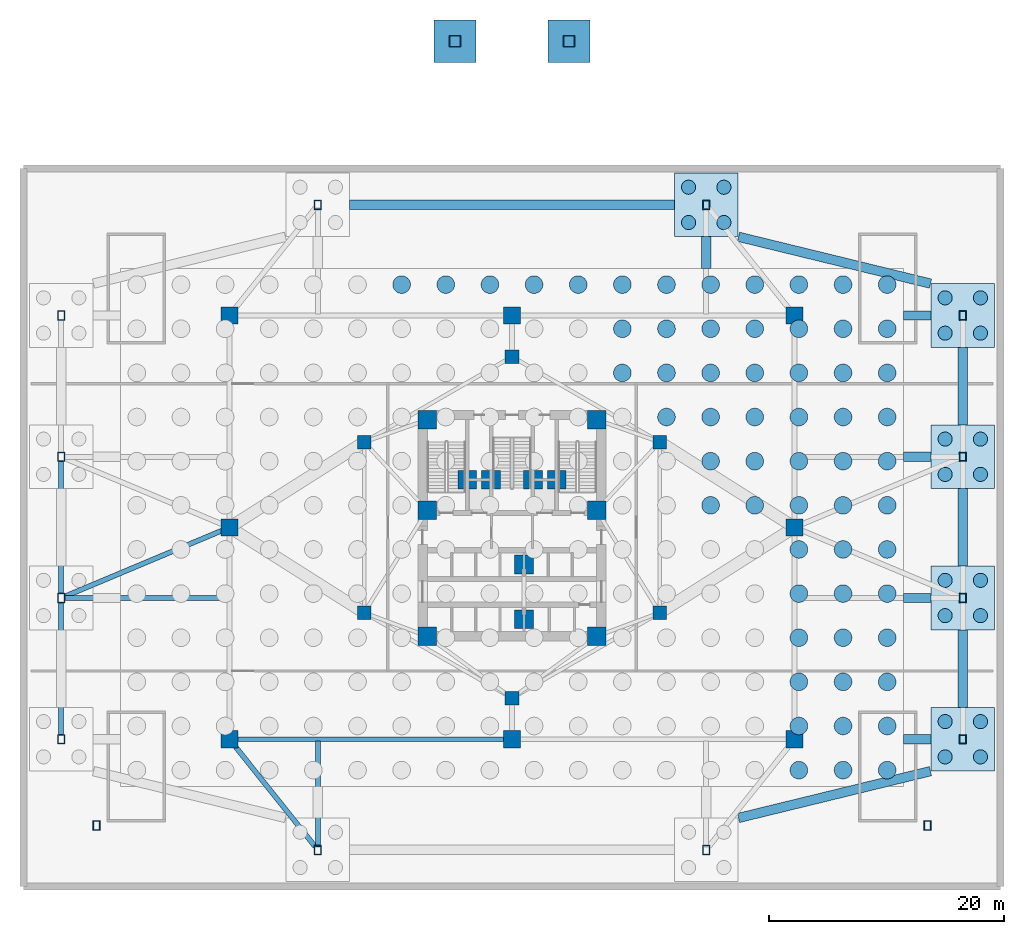
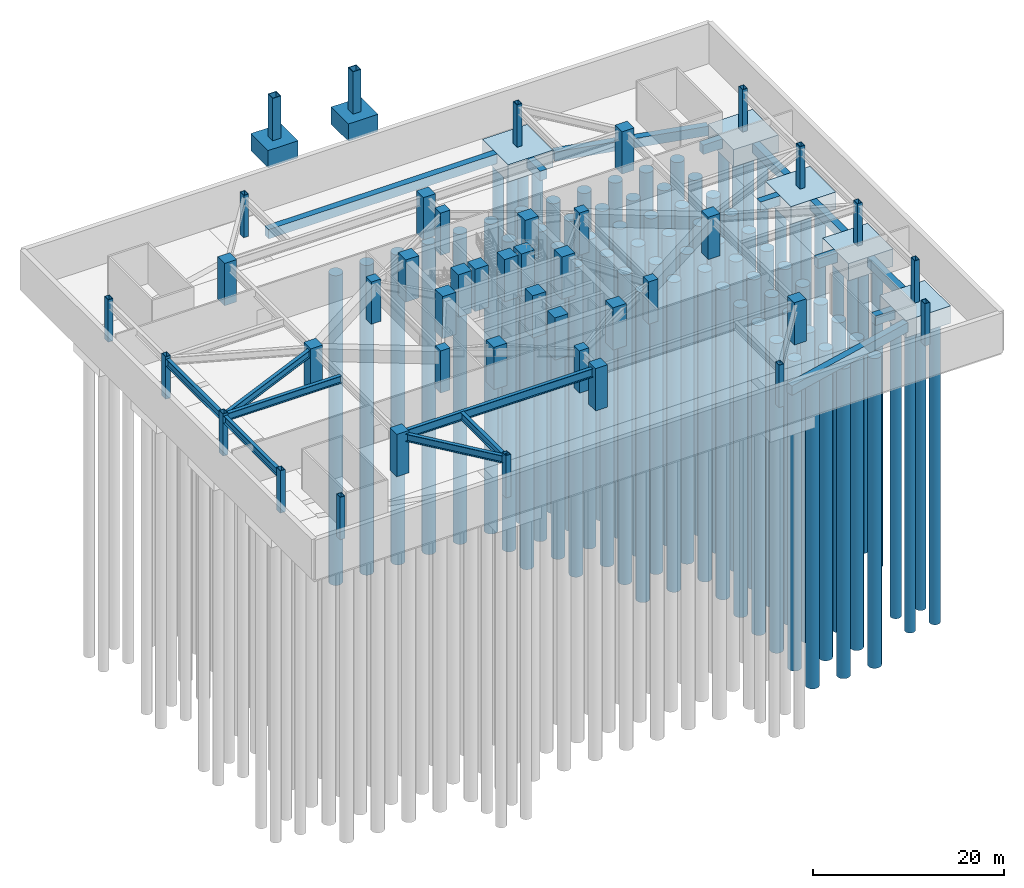
# One storey, part 2 of 8: 80 piles, 42 columns, 18 footings, 7 beams.
"""IFC4 building model written with IfcOpenShell, lengths in metres."""

import ifcopenshell
import ifcopenshell.guid

model = None  # the IFC model being written
_history = None  # IfcOwnerHistory: only IFC2X3 demands one
_inside = {}  # id of a spatial element -> (the spatial element, [elements in it])
_under = {}  # id of a project, library or spatial element -> (it, [spatial elements below it])
_declared = {}  # id of a project -> (the project, [libraries it declares])
_typed = {}  # id of a type object -> (the type object, [elements of that type])
_made_of = {}  # id of a material, layer set ... -> (it, [elements and type objects made of it])


def new_model(schema):
    """Start an empty IFC model of exactly this schema.

    Asked for "IFC4X3", IfcOpenShell would pick the latest addendum, in which some entities
    have other attributes; the version numbers below select the first issue.
    IFC2X3 requires an IfcOwnerHistory on every rooted entity: one is made here for all.
    """
    global model, _history
    if schema == "IFC4X3":
        model = ifcopenshell.file(schema_version=(4, 3, 0, 0))
    else:
        model = ifcopenshell.file(schema=schema)
    _inside.clear()
    _under.clear()
    _declared.clear()
    _typed.clear()
    _made_of.clear()
    _history = None
    if model.schema == "IFC2X3":
        org = make("IfcOrganization", Name="unknown")
        user = make(
            "IfcPersonAndOrganization",
            ThePerson=make("IfcPerson", FamilyName="unknown"),
            TheOrganization=org,
        )
        app = make(
            "IfcApplication",
            ApplicationDeveloper=org,
            Version="unknown",
            ApplicationFullName="unknown",
            ApplicationIdentifier="unknown",
        )
        _history = make(
            "IfcOwnerHistory",
            OwningUser=user,
            OwningApplication=app,
            ChangeAction="ADDED",
            CreationDate=0,
        )
    return model


def make(cls, **values):
    """One entity of the class cls with the attributes given. An attribute that is None is left unset."""
    return model.create_entity(
        cls, **{name: value for name, value in values.items() if value is not None}
    )


def rooted(cls, **values):
    """An entity with a GlobalId (a new one), such as an element, a storey or a relation."""
    return make(cls, GlobalId=ifcopenshell.guid.new(), OwnerHistory=_history, **values)


def si_unit(unit_type, name, prefix=None):
    """IfcSIUnit, for example si_unit("LENGTHUNIT", "METRE", prefix="MILLI")."""
    return make("IfcSIUnit", UnitType=unit_type, Prefix=prefix, Name=name)


def assignment(units):
    """IfcUnitAssignment: the units of a project."""
    return None if units is None else make("IfcUnitAssignment", Units=units)


def point(xyz):
    """IfcCartesianPoint."""
    return None if xyz is None else make("IfcCartesianPoint", Coordinates=xyz)


def direction(xyz):
    """IfcDirection."""
    return None if xyz is None else make("IfcDirection", DirectionRatios=xyz)


def frame(location, z_axis=None, x_axis=None):
    """IfcAxis2Placement3D, a coordinate frame: its origin and axes. An axis left out is left unset."""
    return make(
        "IfcAxis2Placement3D",
        Location=point(location),
        Axis=direction(z_axis),
        RefDirection=direction(x_axis),
    )


def frame_2d(location, x_axis=None):
    """IfcAxis2Placement2D, a coordinate frame in the plane: its origin and x axis."""
    return make(
        "IfcAxis2Placement2D", Location=point(location), RefDirection=direction(x_axis)
    )


def origin():
    """The frame at (0, 0, 0) with its axes left unset."""
    return frame((0.0, 0.0, 0.0))


def origin_2d():
    """The frame at (0, 0) in the plane with its x axis left unset."""
    return frame_2d((0.0, 0.0))


def place(relative_to, where):
    """IfcLocalPlacement: puts the frame where relative to a parent placement (None: the world)."""
    return make(
        "IfcLocalPlacement", PlacementRelTo=relative_to, RelativePlacement=where
    )


def context(
    kind, dimensions, precision=None, world=None, true_north=None, identifier=None
):
    """IfcGeometricRepresentationContext, for example the 3D "Model" context."""
    return make(
        "IfcGeometricRepresentationContext",
        ContextIdentifier=identifier,
        ContextType=kind,
        CoordinateSpaceDimension=dimensions,
        Precision=precision,
        WorldCoordinateSystem=world,
        TrueNorth=true_north,
    )


def subcontext(parent, identifier, kind, view, scale=None):
    """IfcGeometricRepresentationSubContext, for example "Body" below "Model"."""
    return make(
        "IfcGeometricRepresentationSubContext",
        ContextIdentifier=identifier,
        ContextType=kind,
        ParentContext=parent,
        TargetScale=scale,
        TargetView=view,
    )


def project(units=None, contexts=None):
    """IfcProject with its units and contexts."""
    return rooted(
        "IfcProject",
        Name="project",
        RepresentationContexts=contexts,
        UnitsInContext=assignment(units),
    )


def spatial(cls, under=None, at=None, **own):
    """A site, building, storey or space (cls), placed at a placement, below another one or the project."""
    s = rooted(cls, ObjectPlacement=at, **own)
    if under is not None:
        _under.setdefault(under.id(), (under, []))[1].append(s)
    return s


def polyline(points):
    """IfcPolyline through the points."""
    return make("IfcPolyline", Points=[point(p) for p in points])


def profile(cls, at=None, kind="AREA", **sizes):
    """A parametric profile (cls). Its sizes go by their IFC names, for example OverallWidth=200.0."""
    return make(cls, ProfileType=kind, Position=at, **sizes)


def rectangle(**sizes):
    """IfcRectangleProfileDef."""
    return profile("IfcRectangleProfileDef", **sizes)


def hollow_rectangle(**sizes):
    """IfcRectangleHollowProfileDef."""
    return profile("IfcRectangleHollowProfileDef", **sizes)


def circle(**sizes):
    """IfcCircleProfileDef."""
    return profile("IfcCircleProfileDef", **sizes)


def i_section(**sizes):
    """IfcIShapeProfileDef."""
    return profile("IfcIShapeProfileDef", **sizes)


def outline(outer, holes=None, kind="AREA"):
    """IfcArbitraryClosedProfileDef: a profile drawn as a closed curve; with holes, ...WithVoids."""
    if holes is None:
        return make("IfcArbitraryClosedProfileDef", ProfileType=kind, OuterCurve=outer)
    return make(
        "IfcArbitraryProfileDefWithVoids",
        ProfileType=kind,
        OuterCurve=outer,
        InnerCurves=holes,
    )


def extrude(swept, where, along, depth):
    """IfcExtrudedAreaSolid: the profile swept, set in the frame where, extruded along a direction by depth."""
    return make(
        "IfcExtrudedAreaSolid",
        SweptArea=swept,
        Position=where,
        ExtrudedDirection=direction(along),
        Depth=depth,
    )


def shape(context_of_items, identifier, shape_type, items):
    """IfcShapeRepresentation: the items that make up one representation, for example the "Body"."""
    return make(
        "IfcShapeRepresentation",
        ContextOfItems=context_of_items,
        RepresentationIdentifier=identifier,
        RepresentationType=shape_type,
        Items=items,
    )


def material(Name=None, Category=None):
    """IfcMaterial."""
    return make("IfcMaterial", Name=Name, Category=Category)


def layer(
    of_material, thickness, ventilated=None, Name=None, Category=None, Priority=None
):
    """IfcMaterialLayer: one layer of a wall or slab, of a material (None: an air gap)."""
    return make(
        "IfcMaterialLayer",
        Material=of_material,
        LayerThickness=thickness,
        IsVentilated=ventilated,
        Name=Name,
        Category=Category,
        Priority=Priority,
    )


def layer_set(layers, Name=None):
    """IfcMaterialLayerSet."""
    return make("IfcMaterialLayerSet", MaterialLayers=layers, LayerSetName=Name)


def material_profile(
    of_material, cross_section, Name=None, Category=None, Priority=None
):
    """IfcMaterialProfile: a cross section and its material."""
    return make(
        "IfcMaterialProfile",
        Name=Name,
        Material=of_material,
        Profile=cross_section,
        Priority=Priority,
        Category=Category,
    )


def profile_set(profiles, Name=None, composite=None):
    """IfcMaterialProfileSet."""
    return make(
        "IfcMaterialProfileSet",
        Name=Name,
        MaterialProfiles=profiles,
        CompositeProfile=composite,
    )


def made_of(thing, what):
    """Note that an element or type object is made of a material, layer set ...; save() writes the relation."""
    if what is not None:
        _made_of.setdefault(what.id(), (what, []))[1].append(thing)
    return thing


def type_object(cls, material=None, **own):
    """A type object (cls), such as IfcWallType, which elements share."""
    return made_of(rooted(cls, **own), material)


def element(
    cls,
    number,
    at=None,
    inside=None,
    cuts=None,
    type_object=None,
    material=None,
    context=None,
    identifier="Body",
    shape_type=None,
    held_by="IfcProductDefinitionShape",
    body=None,
    shapes=None,
    **own,
):
    """One element of the class cls, such as IfcWall. Its Tag is "e" and its number.

    at: its placement. inside: the storey or other place that contains it. cuts: it is an
    opening in that element (IfcRelVoidsElement). A single representation is given by context,
    identifier, shape_type and body (its items); several are given by shapes. held_by: the class
    of the entity that holds the representations. save() writes the other relations.
    """
    e = rooted(cls, Tag="e%d" % number, ObjectPlacement=at, **own)
    if body is not None:
        shapes = [shape(context, identifier, shape_type, body)]
    if shapes is not None:
        e.Representation = make(held_by, Representations=shapes)
    if inside is not None:
        _inside.setdefault(inside.id(), (inside, []))[1].append(e)
    if cuts is not None:
        rooted(
            "IfcRelVoidsElement", RelatingBuildingElement=cuts, RelatedOpeningElement=e
        )
    if type_object is not None:
        _typed.setdefault(type_object.id(), (type_object, []))[1].append(e)
    return made_of(e, material)


def aggregate(whole, parts):
    """IfcRelAggregates: a whole, such as a stair, and the parts it consists of."""
    return rooted("IfcRelAggregates", RelatingObject=whole, RelatedObjects=parts)


def save(model, path):
    """Write the relations noted so far, then the file.

    IfcRelAggregates (storeys below a building ...), IfcRelContainedInSpatialStructure (elements
    in a storey), IfcRelDefinesByType, IfcRelAssociatesMaterial and IfcRelDeclares: one each for
    every whole, place, type object, material and project.
    """
    for whole, parts in _under.values():
        aggregate(whole, parts)
    for where, things in _inside.values():
        rooted(
            "IfcRelContainedInSpatialStructure",
            RelatedElements=things,
            RelatingStructure=where,
        )
    for kind, things in _typed.values():
        rooted("IfcRelDefinesByType", RelatedObjects=things, RelatingType=kind)
    for what, things in _made_of.values():
        rooted("IfcRelAssociatesMaterial", RelatedObjects=things, RelatingMaterial=what)
    for by, libraries in _declared.values():
        rooted("IfcRelDeclares", RelatingContext=by, RelatedDefinitions=libraries)
    model.write(path)


model = new_model("IFC4")

# Units and contexts
model_context = context("Model", 3, precision=1e-05, world=origin(), true_north=direction((0.0, 1.0)))
body_context = subcontext(model_context, "Body", "Model", "MODEL_VIEW")
ifc_project = project(units=[si_unit("LENGTHUNIT", "METRE"), si_unit("AREAUNIT", "SQUARE_METRE"), si_unit("VOLUMEUNIT", "CUBIC_METRE"), si_unit("PLANEANGLEUNIT", "RADIAN"), si_unit("MASSUNIT", "GRAM", prefix="KILO")], contexts=[model_context])

# Site, building, storey
site_placement = place(None, origin())
site = spatial("IfcSite", under=ifc_project, at=site_placement, CompositionType="ELEMENT")
building_placement = place(site_placement, origin())
building = spatial("IfcBuilding", under=site, at=building_placement, Name="Apsidion Concourse Tower", CompositionType="ELEMENT")
storey_placement = place(building_placement, frame((0.0, 0.0, -5.39990234375)))
storey = spatial("IfcBuildingStorey", under=building, at=storey_placement, Name="B01", CompositionType="ELEMENT", Elevation=-5.39990234375)

# Footings
ifc_material_1 = material(Name="Concrete C50/60", Category="concrete")
ifc_layer_1 = layer(ifc_material_1, 2.199951171875)
ifc_layer_set_1 = layer_set([ifc_layer_1], Name="Concrete C50/60")
footing_type_1 = type_object("IfcFootingType", Name="FT-CAP-PC1", PredefinedType="PILE_CAP", material=ifc_layer_set_1)
footing_1_placement = place(storey_placement, frame((0.0, 0.0, -2.2001953125)))
element("IfcFooting", 1, at=footing_1_placement, inside=storey, type_object=footing_type_1, Name="Podium Pile Cap PC05", PredefinedType="PILE_CAP", context=body_context, shape_type="SweptSolid", body=[
    extrude(outline(polyline([(35.60009765625, -20.699951171875), (41.0, -20.699951171875), (41.0, -15.300048828125), (35.60009765625, -15.300048828125), (35.60009765625, -20.699951171875)])), origin(), (0.0, 0.0, 1.0), 2.2001953125),
])
footing_2_placement = place(storey_placement, frame((0.0, 0.0, -2.2001953125)))
element("IfcFooting", 2, at=footing_2_placement, inside=storey, type_object=footing_type_1, Name="Podium Pile Cap PC06", PredefinedType="PILE_CAP", context=body_context, shape_type="SweptSolid", body=[
    extrude(outline(polyline([(35.60009765625, -8.699951171875), (41.0, -8.699951171875), (41.0, -3.300048828125), (35.60009765625, -3.300048828125), (35.60009765625, -8.699951171875)])), origin(), (0.0, 0.0, 1.0), 2.2001953125),
])
footing_3_placement = place(storey_placement, frame((0.0, 0.0, -2.2001953125)))
element("IfcFooting", 3, at=footing_3_placement, inside=storey, type_object=footing_type_1, Name="Podium Pile Cap PC07", PredefinedType="PILE_CAP", context=body_context, shape_type="SweptSolid", body=[
    extrude(outline(polyline([(35.60009765625, 3.300048828125), (41.0, 3.300048828125), (41.0, 8.699951171875), (35.60009765625, 8.699951171875), (35.60009765625, 3.300048828125)])), origin(), (0.0, 0.0, 1.0), 2.2001953125),
])
footing_4_placement = place(storey_placement, frame((0.0, 0.0, -2.2001953125)))
element("IfcFooting", 4, at=footing_4_placement, inside=storey, type_object=footing_type_1, Name="Podium Pile Cap PC08", PredefinedType="PILE_CAP", context=body_context, shape_type="SweptSolid", body=[
    extrude(outline(polyline([(35.60009765625, 15.300048828125), (41.0, 15.300048828125), (41.0, 20.699951171875), (35.60009765625, 20.699951171875), (35.60009765625, 15.300048828125)])), origin(), (0.0, 0.0, 1.0), 2.2001953125),
])
footing_5_placement = place(storey_placement, frame((0.0, 0.0, -2.2001953125)))
element("IfcFooting", 5, at=footing_5_placement, inside=storey, type_object=footing_type_1, Name="Podium Pile Cap PC12", PredefinedType="PILE_CAP", context=body_context, shape_type="SweptSolid", body=[
    extrude(outline(polyline([(13.800048828125, 24.699951171875), (19.199951171875, 24.699951171875), (19.199951171875, 30.10009765625), (13.800048828125, 30.10009765625), (13.800048828125, 24.699951171875)])), origin(), (0.0, 0.0, 1.0), 2.2001953125),
])
ifc_layer_2 = layer(ifc_material_1, 2.199951171875)
ifc_layer_set_2 = layer_set([ifc_layer_2], Name="Concrete C50/60")
footing_type_2 = type_object("IfcFootingType", Name="FT-PAD-PRW", PredefinedType="PAD_FOOTING", material=ifc_layer_set_2)
footing_6_placement = place(storey_placement, frame((0.0, 0.0, -2.2001953125)))
element("IfcFooting", 6, at=footing_6_placement, inside=storey, type_object=footing_type_2, Name="North Prow Colonnade Pad Footing FP-W", PredefinedType="PAD_FOOTING", context=body_context, shape_type="SweptSolid", body=[
    extrude(outline(polyline([(-6.645751953125, 39.5068359375), (-3.045654296875, 39.5068359375), (-3.045654296875, 43.10693359375), (-6.645751953125, 43.10693359375), (-6.645751953125, 39.5068359375)])), origin(), (0.0, 0.0, 1.0), 2.2001953125),
])
footing_7_placement = place(storey_placement, frame((0.0, 0.0, -2.2001953125)))
element("IfcFooting", 7, at=footing_7_placement, inside=storey, type_object=footing_type_2, Name="North Prow Colonnade Pad Footing FP-E", PredefinedType="PAD_FOOTING", context=body_context, shape_type="SweptSolid", body=[
    extrude(outline(polyline([(3.045654296875, 39.5068359375), (6.645751953125, 39.5068359375), (6.645751953125, 43.10693359375), (3.045654296875, 43.10693359375), (3.045654296875, 39.5068359375)])), origin(), (0.0, 0.0, 1.0), 2.2001953125),
])
ifc_material_profile_1 = material_profile(ifc_material_1, rectangle(XDim=0.800048828125, YDim=1.199951171875, at=origin_2d()), Name="RC 800x1200")
ifc_profile_set_1 = profile_set([ifc_material_profile_1], Name="Concrete C50/60")
footing_type_3 = type_object("IfcFootingType", Name="FT-TIE-GB1", PredefinedType="FOOTING_BEAM", material=ifc_profile_set_1)
for number, where, z_axis, x_axis, name in (
    (8, (33.25, -18.0, -0.60009765625), (1.0, 0.0, 0.0), (0.0, 1.0, 0.0), "Foundation Tie Beam GB-05"),
    (9, (33.25, -6.0, -0.60009765625), (1.0, 0.0, 0.0), (0.0, 1.0, 0.0), "Foundation Tie Beam GB-06"),
    (10, (33.25, 6.0, -0.60009765625), (1.0, 0.0, 0.0), (0.0, 1.0, 0.0), "Foundation Tie Beam GB-07"),
    (11, (33.25, 18.0, -0.60009765625), (1.0, 0.0, 0.0), (0.0, 1.0, 0.0), "Foundation Tie Beam GB-08"),
):
    element("IfcFooting", number, at=place(storey_placement, frame(where, z_axis=z_axis, x_axis=x_axis)), inside=storey, type_object=footing_type_3, Name=name, PredefinedType="FOOTING_BEAM", context=body_context, shape_type="SweptSolid", body=[
        extrude(rectangle(XDim=0.800048828125, YDim=1.199951171875, at=origin_2d()), origin(), (0.0, 0.0, 1.0), 2.35009765625),
    ])
footing_8_placement = place(storey_placement, frame((16.5, 22.0, -0.60009765625), z_axis=(0.0, 1.0, 0.0), x_axis=(-1.0, 0.0, 0.0)))
element("IfcFooting", 12, at=footing_8_placement, inside=storey, type_object=footing_type_3, Name="Foundation Tie Beam GB-12", PredefinedType="FOOTING_BEAM", context=body_context, shape_type="SweptSolid", body=[
    extrude(rectangle(XDim=0.800048828125, YDim=1.199951171875, at=origin_2d()), origin(), (0.0, 0.0, 1.0), 2.699951171875),
])
for number, where, z_axis, x_axis, name in (
    (13, (38.300048828125, -15.300048828125, -0.60009765625), (0.0, 1.0, 0.0), (-1.0, 0.0, 0.0), "Foundation Tie Beam GB-16"),
    (14, (38.300048828125, -3.300048828125, -0.60009765625), (0.0, 1.0, 0.0), (-1.0, 0.0, 0.0), "Foundation Tie Beam GB-17"),
    (15, (38.300048828125, 8.699951171875, -0.60009765625), (0.0, 1.0, 0.0), (-1.0, 0.0, 0.0), "Foundation Tie Beam GB-18"),
):
    element("IfcFooting", number, at=place(storey_placement, frame(where, z_axis=z_axis, x_axis=x_axis)), inside=storey, type_object=footing_type_3, Name=name, PredefinedType="FOOTING_BEAM", context=body_context, shape_type="SweptSolid", body=[
        extrude(rectangle(XDim=0.800048828125, YDim=1.199951171875, at=origin_2d()), origin(), (0.0, 0.0, 1.0), 6.60009765625),
    ])
footing_9_placement = place(storey_placement, frame((-13.800048828125, 27.39990234375, -0.60009765625), z_axis=(1.0, 0.0, 0.0), x_axis=(0.0, 1.0, 0.0)))
element("IfcFooting", 16, at=footing_9_placement, inside=storey, type_object=footing_type_3, Name="Foundation Tie Beam GB-20", PredefinedType="FOOTING_BEAM", context=body_context, shape_type="SweptSolid", body=[
    extrude(rectangle(XDim=0.800048828125, YDim=1.199951171875, at=origin_2d()), origin(), (0.0, 0.0, 1.0), 27.60009765625),
])
for number, where, z_axis, x_axis, name in (
    (17, (19.24853515625, -24.688232421875, -0.60009765625), (0.971520583848, 0.236955175422, 0.0), (-0.236955175422, 0.971520583848, 0.0), "Foundation Tie Beam GB-22"),
    (18, (19.24853515625, 24.688232421875, -0.60009765625), (0.971520583848, -0.236955175422, 0.0), (0.236955175422, 0.971520583848, 0.0), "Foundation Tie Beam GB-24"),
):
    element("IfcFooting", number, at=place(storey_placement, frame(where, z_axis=z_axis, x_axis=x_axis)), inside=storey, type_object=footing_type_3, Name=name, PredefinedType="FOOTING_BEAM", context=body_context, shape_type="SweptSolid", body=[
        extrude(rectangle(XDim=0.800048828125, YDim=1.199951171875, at=origin_2d()), origin(), (0.0, 0.0, 1.0), 16.781005859375),
    ])

# Piles
ifc_material_profile_2 = material_profile(ifc_material_1, circle(Radius=0.60009765625, at=origin_2d()), Name="BORED PILE D1200")
ifc_profile_set_2 = profile_set([ifc_material_profile_2], Name="Concrete C50/60")
pile_type_1 = type_object("IfcPileType", Name="PL-BORED-1200", PredefinedType="BORED", material=ifc_profile_set_2)
for number, where, z_axis, x_axis, name in (
    (19, (36.800048828125, -19.5, -2.050048828125), (0.0, 0.0, -1.0), (1.0, 0.0, 0.0), "Podium Cap Bored Pile P-1200-PC05"),
    (20, (36.800048828125, -16.5, -2.050048828125), (0.0, 0.0, -1.0), (1.0, 0.0, 0.0), "Podium Cap Bored Pile P-1200-PC05"),
    (21, (39.800048828125, -19.5, -2.050048828125), (0.0, 0.0, -1.0), (1.0, 0.0, 0.0), "Podium Cap Bored Pile P-1200-PC05"),
    (22, (39.800048828125, -16.5, -2.050048828125), (0.0, 0.0, -1.0), (1.0, 0.0, 0.0), "Podium Cap Bored Pile P-1200-PC05"),
    (23, (36.800048828125, -7.5, -2.050048828125), (0.0, 0.0, -1.0), (1.0, 0.0, 0.0), "Podium Cap Bored Pile P-1200-PC06"),
    (24, (36.800048828125, -4.5, -2.050048828125), (0.0, 0.0, -1.0), (1.0, 0.0, 0.0), "Podium Cap Bored Pile P-1200-PC06"),
    (25, (39.800048828125, -7.5, -2.050048828125), (0.0, 0.0, -1.0), (1.0, 0.0, 0.0), "Podium Cap Bored Pile P-1200-PC06"),
    (26, (39.800048828125, -4.5, -2.050048828125), (0.0, 0.0, -1.0), (1.0, 0.0, 0.0), "Podium Cap Bored Pile P-1200-PC06"),
    (27, (36.800048828125, 4.5, -2.050048828125), (0.0, 0.0, -1.0), (1.0, 0.0, 0.0), "Podium Cap Bored Pile P-1200-PC07"),
    (28, (36.800048828125, 7.5, -2.050048828125), (0.0, 0.0, -1.0), (1.0, 0.0, 0.0), "Podium Cap Bored Pile P-1200-PC07"),
    (29, (39.800048828125, 4.5, -2.050048828125), (0.0, 0.0, -1.0), (1.0, 0.0, 0.0), "Podium Cap Bored Pile P-1200-PC07"),
    (30, (39.800048828125, 7.5, -2.050048828125), (0.0, 0.0, -1.0), (1.0, 0.0, 0.0), "Podium Cap Bored Pile P-1200-PC07"),
    (31, (36.800048828125, 16.5, -2.050048828125), (0.0, 0.0, -1.0), (1.0, 0.0, 0.0), "Podium Cap Bored Pile P-1200-PC08"),
    (32, (36.800048828125, 19.5, -2.050048828125), (0.0, 0.0, -1.0), (1.0, 0.0, 0.0), "Podium Cap Bored Pile P-1200-PC08"),
    (33, (39.800048828125, 16.5, -2.050048828125), (0.0, 0.0, -1.0), (1.0, 0.0, 0.0), "Podium Cap Bored Pile P-1200-PC08"),
    (34, (39.800048828125, 19.5, -2.050048828125), (0.0, 0.0, -1.0), (1.0, 0.0, 0.0), "Podium Cap Bored Pile P-1200-PC08"),
    (35, (15.0, 25.89990234375, -2.050048828125), (0.0, 0.0, -1.0), (1.0, 0.0, 0.0), "Podium Cap Bored Pile P-1200-PC12"),
    (36, (15.0, 28.89990234375, -2.050048828125), (0.0, 0.0, -1.0), (1.0, 0.0, 0.0), "Podium Cap Bored Pile P-1200-PC12"),
    (37, (18.0, 25.89990234375, -2.050048828125), (0.0, 0.0, -1.0), (1.0, 0.0, 0.0), "Podium Cap Bored Pile P-1200-PC12"),
    (38, (18.0, 28.89990234375, -2.050048828125), (0.0, 0.0, -1.0), (1.0, 0.0, 0.0), "Podium Cap Bored Pile P-1200-PC12"),
):
    element("IfcPile", number, at=place(storey_placement, frame(where, z_axis=z_axis, x_axis=x_axis)), inside=storey, type_object=pile_type_1, Name=name, PredefinedType="BORED", context=body_context, shape_type="SweptSolid", body=[
        extrude(circle(Radius=0.60009765625, at=origin_2d()), origin(), (0.0, 0.0, 1.0), 38.550048828125),
    ])
ifc_material_profile_3 = material_profile(ifc_material_1, circle(Radius=0.75, at=origin_2d()), Name="BORED PILE D1500")
ifc_profile_set_3 = profile_set([ifc_material_profile_3], Name="Concrete C50/60")
pile_type_2 = type_object("IfcPileType", Name="PL-BORED-1500", PredefinedType="BORED", material=ifc_profile_set_3)
for number, where, z_axis, x_axis, name in (
    (39, (-9.375, 20.625, -3.050048828125), (0.0, 0.0, -1.0), (1.0, 0.0, 0.0), "Tower Raft Bored Pile P-1500-084"),
    (40, (-5.625, 20.625, -3.050048828125), (0.0, 0.0, -1.0), (1.0, 0.0, 0.0), "Tower Raft Bored Pile P-1500-096"),
    (41, (-1.875, 20.625, -3.050048828125), (0.0, 0.0, -1.0), (1.0, 0.0, 0.0), "Tower Raft Bored Pile P-1500-108"),
    (42, (1.875, 20.625, -3.050048828125), (0.0, 0.0, -1.0), (1.0, 0.0, 0.0), "Tower Raft Bored Pile P-1500-120"),
    (43, (5.625, 20.625, -3.050048828125), (0.0, 0.0, -1.0), (1.0, 0.0, 0.0), "Tower Raft Bored Pile P-1500-132"),
    (44, (9.375, 13.125, -3.050048828125), (0.0, 0.0, -1.0), (1.0, 0.0, 0.0), "Tower Raft Bored Pile P-1500-142"),
    (45, (9.375, 16.875, -3.050048828125), (0.0, 0.0, -1.0), (1.0, 0.0, 0.0), "Tower Raft Bored Pile P-1500-143"),
    (46, (9.375, 20.625, -3.050048828125), (0.0, 0.0, -1.0), (1.0, 0.0, 0.0), "Tower Raft Bored Pile P-1500-144"),
    (47, (13.125, 9.375, -3.050048828125), (0.0, 0.0, -1.0), (1.0, 0.0, 0.0), "Tower Raft Bored Pile P-1500-153"),
    (48, (13.125, 13.125, -3.050048828125), (0.0, 0.0, -1.0), (1.0, 0.0, 0.0), "Tower Raft Bored Pile P-1500-154"),
    (49, (13.125, 16.875, -3.050048828125), (0.0, 0.0, -1.0), (1.0, 0.0, 0.0), "Tower Raft Bored Pile P-1500-155"),
    (50, (13.125, 20.625, -3.050048828125), (0.0, 0.0, -1.0), (1.0, 0.0, 0.0), "Tower Raft Bored Pile P-1500-156"),
    (51, (16.875, 1.875, -3.050048828125), (0.0, 0.0, -1.0), (1.0, 0.0, 0.0), "Tower Raft Bored Pile P-1500-163"),
    (52, (16.875, 5.625, -3.050048828125), (0.0, 0.0, -1.0), (1.0, 0.0, 0.0), "Tower Raft Bored Pile P-1500-164"),
    (53, (16.875, 9.375, -3.050048828125), (0.0, 0.0, -1.0), (1.0, 0.0, 0.0), "Tower Raft Bored Pile P-1500-165"),
    (54, (16.875, 13.125, -3.050048828125), (0.0, 0.0, -1.0), (1.0, 0.0, 0.0), "Tower Raft Bored Pile P-1500-166"),
    (55, (16.875, 16.875, -3.050048828125), (0.0, 0.0, -1.0), (1.0, 0.0, 0.0), "Tower Raft Bored Pile P-1500-167"),
    (56, (16.875, 20.625, -3.050048828125), (0.0, 0.0, -1.0), (1.0, 0.0, 0.0), "Tower Raft Bored Pile P-1500-168"),
    (57, (20.625, 1.875, -3.050048828125), (0.0, 0.0, -1.0), (1.0, 0.0, 0.0), "Tower Raft Bored Pile P-1500-175"),
    (58, (20.625, 5.625, -3.050048828125), (0.0, 0.0, -1.0), (1.0, 0.0, 0.0), "Tower Raft Bored Pile P-1500-176"),
    (59, (20.625, 9.375, -3.050048828125), (0.0, 0.0, -1.0), (1.0, 0.0, 0.0), "Tower Raft Bored Pile P-1500-177"),
    (60, (20.625, 13.125, -3.050048828125), (0.0, 0.0, -1.0), (1.0, 0.0, 0.0), "Tower Raft Bored Pile P-1500-178"),
    (61, (20.625, 16.875, -3.050048828125), (0.0, 0.0, -1.0), (1.0, 0.0, 0.0), "Tower Raft Bored Pile P-1500-179"),
    (62, (20.625, 20.625, -3.050048828125), (0.0, 0.0, -1.0), (1.0, 0.0, 0.0), "Tower Raft Bored Pile P-1500-180"),
    (63, (24.375, -20.625, -3.050048828125), (0.0, 0.0, -1.0), (1.0, 0.0, 0.0), "Tower Raft Bored Pile P-1500-181"),
    (64, (24.375, -16.875, -3.050048828125), (0.0, 0.0, -1.0), (1.0, 0.0, 0.0), "Tower Raft Bored Pile P-1500-182"),
    (65, (24.375, -13.125, -3.050048828125), (0.0, 0.0, -1.0), (1.0, 0.0, 0.0), "Tower Raft Bored Pile P-1500-183"),
    (66, (24.375, -9.375, -3.050048828125), (0.0, 0.0, -1.0), (1.0, 0.0, 0.0), "Tower Raft Bored Pile P-1500-184"),
    (67, (24.375, -5.625, -3.050048828125), (0.0, 0.0, -1.0), (1.0, 0.0, 0.0), "Tower Raft Bored Pile P-1500-185"),
    (68, (24.375, -1.875, -3.050048828125), (0.0, 0.0, -1.0), (1.0, 0.0, 0.0), "Tower Raft Bored Pile P-1500-186"),
    (69, (24.375, 1.875, -3.050048828125), (0.0, 0.0, -1.0), (1.0, 0.0, 0.0), "Tower Raft Bored Pile P-1500-187"),
    (70, (24.375, 5.625, -3.050048828125), (0.0, 0.0, -1.0), (1.0, 0.0, 0.0), "Tower Raft Bored Pile P-1500-188"),
    (71, (24.375, 9.375, -3.050048828125), (0.0, 0.0, -1.0), (1.0, 0.0, 0.0), "Tower Raft Bored Pile P-1500-189"),
    (72, (24.375, 13.125, -3.050048828125), (0.0, 0.0, -1.0), (1.0, 0.0, 0.0), "Tower Raft Bored Pile P-1500-190"),
    (73, (24.375, 16.875, -3.050048828125), (0.0, 0.0, -1.0), (1.0, 0.0, 0.0), "Tower Raft Bored Pile P-1500-191"),
    (74, (24.375, 20.625, -3.050048828125), (0.0, 0.0, -1.0), (1.0, 0.0, 0.0), "Tower Raft Bored Pile P-1500-192"),
    (75, (28.125, -20.625, -3.050048828125), (0.0, 0.0, -1.0), (1.0, 0.0, 0.0), "Tower Raft Bored Pile P-1500-193"),
    (76, (28.125, -16.875, -3.050048828125), (0.0, 0.0, -1.0), (1.0, 0.0, 0.0), "Tower Raft Bored Pile P-1500-194"),
    (77, (28.125, -13.125, -3.050048828125), (0.0, 0.0, -1.0), (1.0, 0.0, 0.0), "Tower Raft Bored Pile P-1500-195"),
    (78, (28.125, -9.375, -3.050048828125), (0.0, 0.0, -1.0), (1.0, 0.0, 0.0), "Tower Raft Bored Pile P-1500-196"),
    (79, (28.125, -5.625, -3.050048828125), (0.0, 0.0, -1.0), (1.0, 0.0, 0.0), "Tower Raft Bored Pile P-1500-197"),
    (80, (28.125, -1.875, -3.050048828125), (0.0, 0.0, -1.0), (1.0, 0.0, 0.0), "Tower Raft Bored Pile P-1500-198"),
    (81, (28.125, 1.875, -3.050048828125), (0.0, 0.0, -1.0), (1.0, 0.0, 0.0), "Tower Raft Bored Pile P-1500-199"),
    (82, (28.125, 5.625, -3.050048828125), (0.0, 0.0, -1.0), (1.0, 0.0, 0.0), "Tower Raft Bored Pile P-1500-200"),
    (83, (28.125, 9.375, -3.050048828125), (0.0, 0.0, -1.0), (1.0, 0.0, 0.0), "Tower Raft Bored Pile P-1500-201"),
    (84, (28.125, 13.125, -3.050048828125), (0.0, 0.0, -1.0), (1.0, 0.0, 0.0), "Tower Raft Bored Pile P-1500-202"),
    (85, (28.125, 16.875, -3.050048828125), (0.0, 0.0, -1.0), (1.0, 0.0, 0.0), "Tower Raft Bored Pile P-1500-203"),
    (86, (28.125, 20.625, -3.050048828125), (0.0, 0.0, -1.0), (1.0, 0.0, 0.0), "Tower Raft Bored Pile P-1500-204"),
    (87, (31.875, -20.625, -3.050048828125), (0.0, 0.0, -1.0), (1.0, 0.0, 0.0), "Tower Raft Bored Pile P-1500-205"),
    (88, (31.875, -16.875, -3.050048828125), (0.0, 0.0, -1.0), (1.0, 0.0, 0.0), "Tower Raft Bored Pile P-1500-206"),
    (89, (31.875, -13.125, -3.050048828125), (0.0, 0.0, -1.0), (1.0, 0.0, 0.0), "Tower Raft Bored Pile P-1500-207"),
    (90, (31.875, -9.375, -3.050048828125), (0.0, 0.0, -1.0), (1.0, 0.0, 0.0), "Tower Raft Bored Pile P-1500-208"),
    (91, (31.875, -5.625, -3.050048828125), (0.0, 0.0, -1.0), (1.0, 0.0, 0.0), "Tower Raft Bored Pile P-1500-209"),
    (92, (31.875, -1.875, -3.050048828125), (0.0, 0.0, -1.0), (1.0, 0.0, 0.0), "Tower Raft Bored Pile P-1500-210"),
    (93, (31.875, 1.875, -3.050048828125), (0.0, 0.0, -1.0), (1.0, 0.0, 0.0), "Tower Raft Bored Pile P-1500-211"),
    (94, (31.875, 5.625, -3.050048828125), (0.0, 0.0, -1.0), (1.0, 0.0, 0.0), "Tower Raft Bored Pile P-1500-212"),
    (95, (31.875, 9.375, -3.050048828125), (0.0, 0.0, -1.0), (1.0, 0.0, 0.0), "Tower Raft Bored Pile P-1500-213"),
    (96, (31.875, 13.125, -3.050048828125), (0.0, 0.0, -1.0), (1.0, 0.0, 0.0), "Tower Raft Bored Pile P-1500-214"),
    (97, (31.875, 16.875, -3.050048828125), (0.0, 0.0, -1.0), (1.0, 0.0, 0.0), "Tower Raft Bored Pile P-1500-215"),
    (98, (31.875, 20.625, -3.050048828125), (0.0, 0.0, -1.0), (1.0, 0.0, 0.0), "Tower Raft Bored Pile P-1500-216"),
):
    element("IfcPile", number, at=place(storey_placement, frame(where, z_axis=z_axis, x_axis=x_axis)), inside=storey, type_object=pile_type_2, Name=name, PredefinedType="BORED", context=body_context, shape_type="SweptSolid", body=[
        extrude(circle(Radius=0.75, at=origin_2d()), origin(), (0.0, 0.0, 1.0), 39.550048828125),
    ])

# Columns
ifc_material_2 = material(Name="Structural steel ASTM A572 Grade 50", Category="steel")
ifc_material_profile_4 = material_profile(ifc_material_2, hollow_rectangle(XDim=1.0, YDim=1.0, WallThickness=0.06005859375, at=origin_2d()), Name="BOX1000X1000X60")
ifc_profile_set_4 = profile_set([ifc_material_profile_4], Name="Structural steel ASTM A572 Grade 50")
column_type_1 = type_object("IfcColumnType", Name="COL-BOX-1000", PredefinedType="COLUMN", material=ifc_profile_set_4)
for number, where, z_axis, x_axis, name in (
    (99, (-4.845703125, 41.306884765625, 0.0), (0.0, 0.0, 1.0), (1.0, 0.0, 0.0), "B01 North Forecourt Prow Colonnade Column PRW-W"),
    (100, (4.845703125, 41.306884765625, 0.0), (0.0, 0.0, 1.0), (1.0, 0.0, 0.0), "B01 North Forecourt Prow Colonnade Column PRW-E"),
):
    element("IfcColumn", number, at=place(storey_placement, frame(where, z_axis=z_axis, x_axis=x_axis)), inside=storey, type_object=column_type_1, Name=name, PredefinedType="COLUMN", context=body_context, shape_type="SweptSolid", body=[
        extrude(hollow_rectangle(XDim=1.0, YDim=1.0, WallThickness=0.06005859375, at=origin_2d()), origin(), (0.0, 0.0, 1.0), 5.39990234375),
    ])
ifc_material_profile_5 = material_profile(ifc_material_2, hollow_rectangle(XDim=0.60009765625, YDim=0.800048828125, WallThickness=0.050048828125, at=origin_2d()), Name="BOX800X600X50")
ifc_profile_set_5 = profile_set([ifc_material_profile_5], Name="Structural steel ASTM A572 Grade 50")
column_type_2 = type_object("IfcColumnType", Name="COL-BOX-800", PredefinedType="COLUMN", material=ifc_profile_set_5)
for number, where, z_axis, x_axis, name in (
    (101, (-38.300048828125, -18.0, 0.0), (0.0, 0.0, 1.0), (1.0, 0.0, 0.0), "B01 Podium Perimeter Column PC01"),
    (102, (-38.300048828125, -6.0, 0.0), (0.0, 0.0, 1.0), (1.0, 0.0, 0.0), "B01 Podium Perimeter Column PC02"),
    (103, (-38.300048828125, 6.0, 0.0), (0.0, 0.0, 1.0), (1.0, 0.0, 0.0), "B01 Podium Perimeter Column PC03"),
    (104, (-38.300048828125, 18.0, 0.0), (0.0, 0.0, 1.0), (1.0, 0.0, 0.0), "B01 Podium Perimeter Column PC04"),
    (105, (38.300048828125, -18.0, 0.0), (0.0, 0.0, 1.0), (1.0, 0.0, 0.0), "B01 Podium Perimeter Column PC05"),
    (106, (38.300048828125, -6.0, 0.0), (0.0, 0.0, 1.0), (1.0, 0.0, 0.0), "B01 Podium Perimeter Column PC06"),
    (107, (38.300048828125, 6.0, 0.0), (0.0, 0.0, 1.0), (1.0, 0.0, 0.0), "B01 Podium Perimeter Column PC07"),
    (108, (38.300048828125, 18.0, 0.0), (0.0, 0.0, 1.0), (1.0, 0.0, 0.0), "B01 Podium Perimeter Column PC08"),
    (109, (-16.5, -27.39990234375, 0.0), (0.0, 0.0, 1.0), (1.0, 0.0, 0.0), "B01 Podium Perimeter Column PC09"),
    (110, (16.5, -27.39990234375, 0.0), (0.0, 0.0, 1.0), (1.0, 0.0, 0.0), "B01 Podium Perimeter Column PC10"),
    (111, (-16.5, 27.39990234375, 0.0), (0.0, 0.0, 1.0), (1.0, 0.0, 0.0), "B01 Podium Perimeter Column PC11"),
    (112, (16.5, 27.39990234375, 0.0), (0.0, 0.0, 1.0), (1.0, 0.0, 0.0), "B01 Podium Perimeter Column PC12"),
    (113, (-35.300048828125, -25.320068359375, 0.0), (0.0, 0.0, 1.0), (1.0, 0.0, 0.0), "B01 Podium South Corner Column SWCR-W"),
    (114, (35.300048828125, -25.320068359375, 0.0), (0.0, 0.0, 1.0), (1.0, 0.0, 0.0), "B01 Podium South Corner Column SWCR-E"),
):
    element("IfcColumn", number, at=place(storey_placement, frame(where, z_axis=z_axis, x_axis=x_axis)), inside=storey, type_object=column_type_2, Name=name, PredefinedType="COLUMN", context=body_context, shape_type="SweptSolid", body=[
        extrude(hollow_rectangle(XDim=0.60009765625, YDim=0.800048828125, WallThickness=0.050048828125, at=origin_2d()), origin(), (0.0, 0.0, 1.0), 5.39990234375),
    ])
ifc_material_profile_6 = material_profile(ifc_material_1, rectangle(XDim=1.14990234375, YDim=1.14990234375, at=origin_2d()), Name="RC 1150x1150")
ifc_profile_set_6 = profile_set([ifc_material_profile_6], Name="Concrete C50/60")
column_type_3 = type_object("IfcColumnType", Name="COL-RC-1150", PredefinedType="COLUMN", material=ifc_profile_set_6)
for number, where, z_axis, x_axis, name in (
    (115, (-12.56005859375, -7.25, 0.0), (0.0, 0.0, 1.0), (1.0, 0.0, 0.0), "B01 Interior Spine Column IC1"),
    (116, (12.56005859375, -7.25, 0.0), (0.0, 0.0, 1.0), (1.0, 0.0, 0.0), "B01 Interior Spine Column IC2"),
    (117, (12.56005859375, 7.25, 0.0), (0.0, 0.0, 1.0), (1.0, 0.0, 0.0), "B01 Interior Spine Column IC3"),
    (118, (0.0, 14.5, 0.0), (0.0, 0.0, 1.0), (1.0, 0.0, 0.0), "B01 Interior Spine Column IC4"),
    (119, (-12.56005859375, 7.25, 0.0), (0.0, 0.0, 1.0), (1.0, 0.0, 0.0), "B01 Interior Spine Column IC5"),
    (120, (0.0, -14.5, 0.0), (0.0, 0.0, 1.0), (1.0, 0.0, 0.0), "B01 Interior Spine Column IC6"),
):
    element("IfcColumn", number, at=place(storey_placement, frame(where, z_axis=z_axis, x_axis=x_axis)), inside=storey, type_object=column_type_3, Name=name, PredefinedType="COLUMN", context=body_context, shape_type="SweptSolid", body=[
        extrude(rectangle(XDim=1.14990234375, YDim=1.14990234375, at=origin_2d()), origin(), (0.0, 0.0, 1.0), 5.39990234375),
    ])
ifc_material_3 = material(Name="Concrete C60/75", Category="concrete")
ifc_material_profile_7 = material_profile(ifc_material_3, rectangle(XDim=1.449951171875, YDim=1.449951171875, at=origin_2d()), Name="RC 1450x1450")
ifc_profile_set_7 = profile_set([ifc_material_profile_7], Name="Concrete C60/75")
column_type_4 = type_object("IfcColumnType", Name="COL-RC-1450", PredefinedType="COLUMN", material=ifc_profile_set_7)
for number, where, z_axis, x_axis, name in (
    (121, (-24.0, -18.0, 0.0), (0.0, 0.0, 1.0), (1.0, 0.0, 0.0), "B01 Podium Mega-Column MC1"),
    (122, (24.0, -18.0, 0.0), (0.0, 0.0, 1.0), (1.0, 0.0, 0.0), "B01 Podium Mega-Column MC2"),
    (123, (-24.0, 0.0, 0.0), (0.0, 0.0, 1.0), (1.0, 0.0, 0.0), "B01 Podium Mega-Column MC3"),
    (124, (24.0, 0.0, 0.0), (0.0, 0.0, 1.0), (1.0, 0.0, 0.0), "B01 Podium Mega-Column MC4"),
    (125, (-24.0, 18.0, 0.0), (0.0, 0.0, 1.0), (1.0, 0.0, 0.0), "B01 Podium Mega-Column MC5"),
    (126, (24.0, 18.0, 0.0), (0.0, 0.0, 1.0), (1.0, 0.0, 0.0), "B01 Podium Mega-Column MC6"),
    (127, (0.0, -18.0, 0.0), (0.0, 0.0, 1.0), (1.0, 0.0, 0.0), "B01 Podium Mega-Column MC7"),
    (128, (0.0, 18.0, 0.0), (0.0, 0.0, 1.0), (1.0, 0.0, 0.0), "B01 Podium Mega-Column MC8"),
):
    element("IfcColumn", number, at=place(storey_placement, frame(where, z_axis=z_axis, x_axis=x_axis)), inside=storey, type_object=column_type_4, Name=name, PredefinedType="COLUMN", context=body_context, shape_type="SweptSolid", body=[
        extrude(rectangle(XDim=1.449951171875, YDim=1.449951171875, at=origin_2d()), origin(), (0.0, 0.0, 1.0), 5.39990234375),
    ])
ifc_material_profile_8 = material_profile(ifc_material_3, rectangle(XDim=1.60009765625, YDim=1.60009765625, at=origin_2d()), Name="RC 1600x1600")
ifc_profile_set_8 = profile_set([ifc_material_profile_8], Name="Concrete C60/75")
column_type_5 = type_object("IfcColumnType", Name="COL-RC-1600", PredefinedType="COLUMN", material=ifc_profile_set_8)
for number, where, z_axis, x_axis, name in (
    (129, (-7.199951171875, -9.25, 0.0), (0.0, 0.0, 1.0), (1.0, 0.0, 0.0), "B01 Core Super-Column SC1"),
    (130, (7.199951171875, -9.25, 0.0), (0.0, 0.0, 1.0), (1.0, 0.0, 0.0), "B01 Core Super-Column SC2"),
    (131, (7.199951171875, 1.449951171875, 0.0), (0.0, 0.0, 1.0), (1.0, 0.0, 0.0), "B01 Core Super-Column SC3"),
    (132, (7.199951171875, 9.14990234375, 0.0), (0.0, 0.0, 1.0), (1.0, 0.0, 0.0), "B01 Core Super-Column SC4"),
    (133, (-7.199951171875, 9.14990234375, 0.0), (0.0, 0.0, 1.0), (1.0, 0.0, 0.0), "B01 Core Super-Column SC5"),
    (134, (-7.199951171875, 1.449951171875, 0.0), (0.0, 0.0, 1.0), (1.0, 0.0, 0.0), "B01 Core Super-Column SC6"),
    (135, (-3.800048828125, 4.050048828125, 0.0), (0.0, 0.0, 1.0), (1.0, 0.0, 0.0), "B01 Core Super-Column CC1"),
    (136, (3.800048828125, 4.050048828125, 0.0), (0.0, 0.0, 1.0), (1.0, 0.0, 0.0), "B01 Core Super-Column CC2"),
    (137, (-1.77490234375, 4.050048828125, 0.0), (0.0, 0.0, 1.0), (1.0, 0.0, 0.0), "B01 Core Super-Column CC3"),
    (138, (1.77490234375, 4.050048828125, 0.0), (0.0, 0.0, 1.0), (1.0, 0.0, 0.0), "B01 Core Super-Column CC4"),
    (139, (1.02490234375, -3.14990234375, 0.0), (0.0, 0.0, 1.0), (1.0, 0.0, 0.0), "B01 Core Super-Column CC5"),
    (140, (1.02490234375, -7.800048828125, 0.0), (0.0, 0.0, 1.0), (1.0, 0.0, 0.0), "B01 Core Super-Column CC6"),
):
    element("IfcColumn", number, at=place(storey_placement, frame(where, z_axis=z_axis, x_axis=x_axis)), inside=storey, type_object=column_type_5, Name=name, PredefinedType="COLUMN", context=body_context, shape_type="SweptSolid", body=[
        extrude(rectangle(XDim=1.60009765625, YDim=1.60009765625, at=origin_2d()), origin(), (0.0, 0.0, 1.0), 5.39990234375),
    ])

# Beams
ifc_material_4 = material(Name="Structural steel ASTM A992 Grade 50", Category="steel")
ifc_material_profile_9 = material_profile(ifc_material_4, i_section(OverallWidth=0.423095703125, OverallDepth=0.947998046875, WebThickness=0.02392578125, FlangeThickness=0.042724609375, at=origin_2d()), Name="W36X302")
ifc_profile_set_9 = profile_set([ifc_material_profile_9], Name="Structural steel ASTM A992 Grade 50")
beam_type_1 = type_object("IfcBeamType", Name="BM-G-W36H", PredefinedType="USERDEFINED", material=ifc_profile_set_9)
beam_1_placement = place(storey_placement, frame((-38.050048828125, -6.0, 4.6259765625), z_axis=(1.0, 0.0, 0.0), x_axis=(0.0, 1.0, 0.0)))
element("IfcBeam", 141, at=beam_1_placement, inside=storey, type_object=beam_type_1, Name="B01 Podium Radial Frame Girder PC02", ObjectType="GIRDER", PredefinedType="USERDEFINED", context=body_context, shape_type="SweptSolid", body=[
    extrude(i_section(OverallWidth=0.423095703125, OverallDepth=0.947998046875, WebThickness=0.02392578125, FlangeThickness=0.042724609375, at=origin_2d()), origin(), (0.0, 0.0, 1.0), 13.900146484375),
])
beam_2_placement = place(storey_placement, frame((-37.977294921875, -5.864501953125, 4.6259765625), z_axis=(0.92212437548, 0.386893572118, 0.0), x_axis=(-0.386893572118, 0.92212437548, 0.0)))
element("IfcBeam", 142, at=beam_2_placement, inside=storey, type_object=beam_type_1, Name="B01 Podium Diagonal Frame Tie PC02", ObjectType="GIRDER", PredefinedType="USERDEFINED", context=body_context, shape_type="SweptSolid", body=[
    extrude(i_section(OverallWidth=0.423095703125, OverallDepth=0.947998046875, WebThickness=0.02392578125, FlangeThickness=0.042724609375, at=origin_2d()), origin(), (0.0, 0.0, 1.0), 14.8076171875),
])
beam_3_placement = place(storey_placement, frame((-16.5, -27.14990234375, 4.6259765625), z_axis=(0.0, 1.0, 0.0), x_axis=(-1.0, 0.0, 0.0)))
element("IfcBeam", 143, at=beam_3_placement, inside=storey, type_object=beam_type_1, Name="B01 Podium Radial Frame Girder PC09", ObjectType="GIRDER", PredefinedType="USERDEFINED", context=body_context, shape_type="SweptSolid", body=[
    extrude(i_section(OverallWidth=0.423095703125, OverallDepth=0.947998046875, WebThickness=0.02392578125, FlangeThickness=0.042724609375, at=origin_2d()), origin(), (0.0, 0.0, 1.0), 9.0),
])
beam_4_placement = place(storey_placement, frame((-16.71826171875, -27.12646484375, 4.6259765625), z_axis=(-0.623685030382, 0.781675753031, 0.0), x_axis=(-0.781675753031, -0.623685030382, 0.0)))
element("IfcBeam", 144, at=beam_4_placement, inside=storey, type_object=beam_type_1, Name="B01 Podium Diagonal Frame Tie PC09", ObjectType="GIRDER", PredefinedType="USERDEFINED", context=body_context, shape_type="SweptSolid", body=[
    extrude(i_section(OverallWidth=0.423095703125, OverallDepth=0.947998046875, WebThickness=0.02392578125, FlangeThickness=0.042724609375, at=origin_2d()), origin(), (0.0, 0.0, 1.0), 11.325439453125),
])
for number, where, z_axis, x_axis, name in (
    (145, (-38.300048828125, -17.64990234375, 4.6259765625), (0.0, 1.0, 0.0), (-1.0, 0.0, 0.0), "B01 Podium Spandrel Girder PC01-PC02"),
    (146, (-38.300048828125, -5.64990234375, 4.6259765625), (0.0, 1.0, 0.0), (-1.0, 0.0, 0.0), "B01 Podium Spandrel Girder PC02-PC03"),
):
    element("IfcBeam", number, at=place(storey_placement, frame(where, z_axis=z_axis, x_axis=x_axis)), inside=storey, type_object=beam_type_1, Name=name, ObjectType="GIRDER", PredefinedType="USERDEFINED", context=body_context, shape_type="SweptSolid", body=[
        extrude(i_section(OverallWidth=0.423095703125, OverallDepth=0.947998046875, WebThickness=0.02392578125, FlangeThickness=0.042724609375, at=origin_2d()), origin(), (0.0, 0.0, 1.0), 11.2998046875),
    ])
ifc_material_profile_10 = material_profile(ifc_material_4, i_section(OverallWidth=0.405029296875, OverallDepth=1.117919921875, WebThickness=0.026123046875, FlangeThickness=0.044921875, at=origin_2d()), Name="W44X335")
ifc_profile_set_10 = profile_set([ifc_material_profile_10], Name="Structural steel ASTM A992 Grade 50")
beam_type_2 = type_object("IfcBeamType", Name="BM-G-W44", PredefinedType="USERDEFINED", material=ifc_profile_set_10)
beam_5_placement = place(storey_placement, frame((-23.64990234375, -18.0, 4.541015625), z_axis=(1.0, 0.0, 0.0), x_axis=(0.0, 1.0, 0.0)))
element("IfcBeam", 147, at=beam_5_placement, inside=storey, type_object=beam_type_2, Name="B01 Podium Girder MC1-MC7", ObjectType="GIRDER", PredefinedType="USERDEFINED", context=body_context, shape_type="SweptSolid", body=[
    extrude(i_section(OverallWidth=0.405029296875, OverallDepth=1.117919921875, WebThickness=0.026123046875, FlangeThickness=0.044921875, at=origin_2d()), origin(), (0.0, 0.0, 1.0), 23.2998046875),
])

save(model, "model.ifc")
